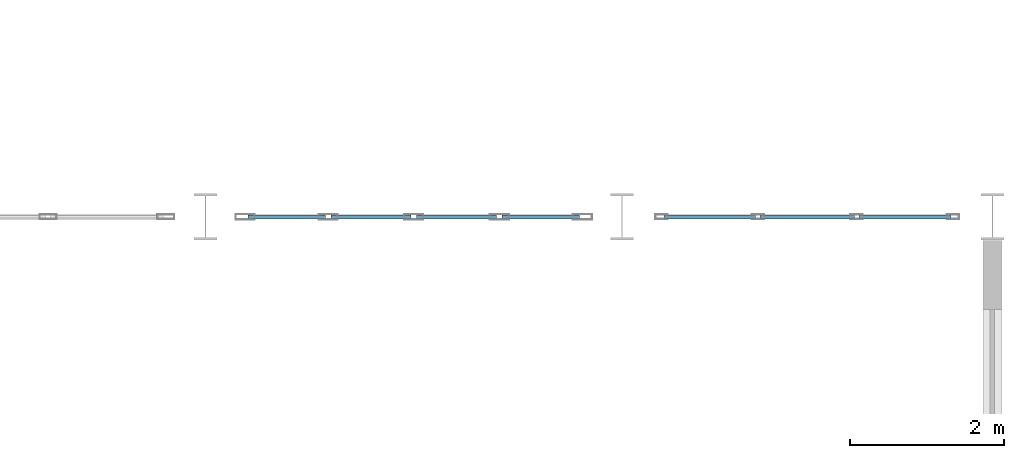
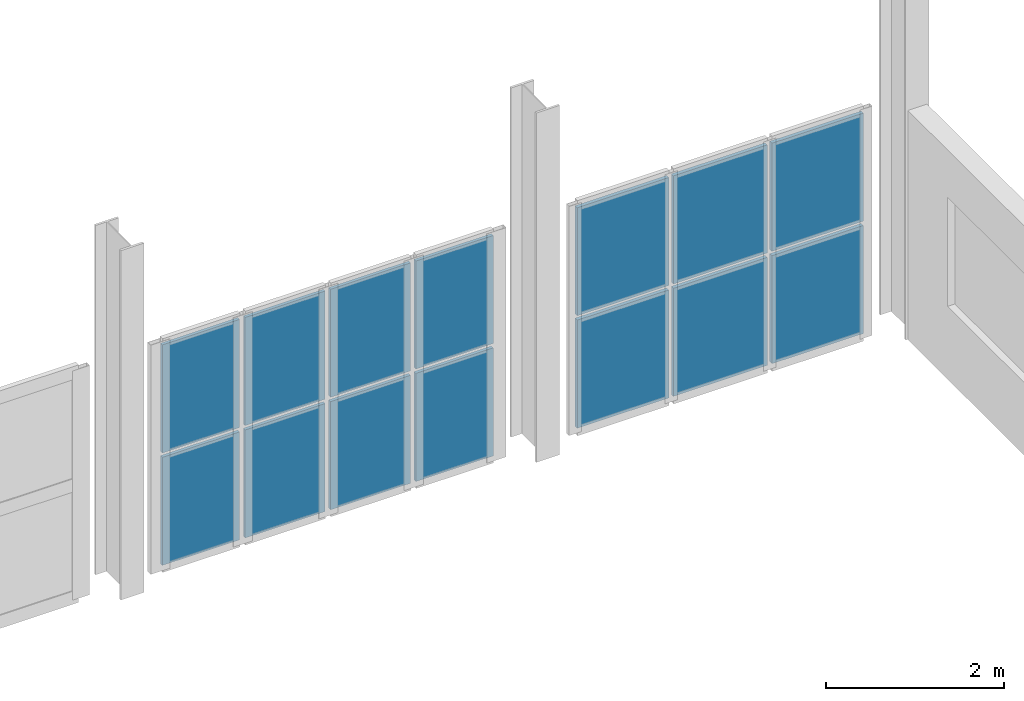
# One storey, part 31 of 41: 14 plates, 2 elements without a shape of their own.
"""IFC4 building model written with IfcOpenShell, lengths in metres."""

from ifc_helpers import new_model, si_unit, direction, frame, origin, origin_2d, place, context, subcontext, project, spatial, rectangle, extrude, material, layer, layer_set, type_object, element, aggregate, save


model = new_model("IFC4")

# Units and contexts
model_context = context("Model", 3, precision=1e-05, world=origin(), true_north=direction((0.0, 1.0)))
body_context = subcontext(model_context, "Body", "Model", "MODEL_VIEW")
ifc_project = project(units=[si_unit("LENGTHUNIT", "METRE"), si_unit("AREAUNIT", "SQUARE_METRE"), si_unit("VOLUMEUNIT", "CUBIC_METRE"), si_unit("PLANEANGLEUNIT", "RADIAN"), si_unit("MASSUNIT", "GRAM", prefix="KILO")], contexts=[model_context])

# Site, building, storey
site_placement = place(None, origin())
site = spatial("IfcSite", under=ifc_project, at=site_placement, CompositionType="ELEMENT")
building_placement = place(site_placement, origin())
building = spatial("IfcBuilding", under=site, at=building_placement, Name="Solvadek Multi-Sports Hall", CompositionType="ELEMENT")
storey_placement = place(building_placement, frame((0.0, 0.0, 14.39990234375)))
storey = spatial("IfcBuildingStorey", under=building, at=storey_placement, Name="L03", CompositionType="ELEMENT", Elevation=14.39990234375)

# Curtain wall, plates
ifc_material_1 = material(Name="Anodised aluminium", Category="aluminium")
ifc_layer_1 = layer(ifc_material_1, 0.159912109375, Name="Anodised aluminium")
ifc_layer_set_1 = layer_set([ifc_layer_1], Name="Anodised aluminium")
curtain_wall_type_1 = type_object("IfcCurtainWallType", Name="ENV-CW-444X315", PredefinedType="USERDEFINED", material=ifc_layer_set_1)
curtain_wall_1_placement = place(storey_placement, origin())
curtain_wall_1 = element("IfcCurtainWall", 1, at=curtain_wall_1_placement, inside=storey, type_object=curtain_wall_type_1, Name="L03 Perimeter Bay Curtain Wall #139", ObjectType="CURTAIN WALL", PredefinedType="USERDEFINED")
ifc_material_2 = material(Name="Tempered laminated low-E glass", Category="glass")
ifc_layer_2 = layer(ifc_material_2, 0.0419921875, Name="Tempered laminated low-E glass")
ifc_layer_set_2 = layer_set([ifc_layer_2], Name="Tempered laminated low-E glass")
plate_type_1 = type_object("IfcPlateType", Name="ENV-CWP-05", PredefinedType="CURTAIN_PANEL", material=ifc_layer_set_2)
plate_1_placement = place(storey_placement, frame((152.25244140625, 70.800048828125, 0.06005859375), z_axis=(0.0, 0.0, 1.0), x_axis=(1.0, 0.0, 0.0)))
plate_1 = element("IfcPlate", 2, at=plate_1_placement, type_object=plate_type_1, Name="CW-47 panel 1.1", PredefinedType="CURTAIN_PANEL", context=body_context, shape_type="SweptSolid", body=[
    extrude(rectangle(XDim=1.0048828125, YDim=0.0419921875, at=origin_2d()), origin(), (0.0, 0.0, 1.0), 1.485107421875),
])
plate_2_placement = place(storey_placement, frame((152.25244140625, 70.800048828125, 1.60498046875), z_axis=(0.0, 0.0, 1.0), x_axis=(1.0, 0.0, 0.0)))
plate_2 = element("IfcPlate", 3, at=plate_2_placement, type_object=plate_type_1, Name="CW-47 panel 1.2", PredefinedType="CURTAIN_PANEL", context=body_context, shape_type="SweptSolid", body=[
    extrude(rectangle(XDim=1.0048828125, YDim=0.0419921875, at=origin_2d()), origin(), (0.0, 0.0, 1.0), 1.485107421875),
])
plate_3_placement = place(storey_placement, frame((153.344970703125, 70.800048828125, 0.06005859375), z_axis=(0.0, 0.0, 1.0), x_axis=(1.0, 0.0, 0.0)))
plate_3 = element("IfcPlate", 4, at=plate_3_placement, type_object=plate_type_1, Name="CW-47 panel 2.1", PredefinedType="CURTAIN_PANEL", context=body_context, shape_type="SweptSolid", body=[
    extrude(rectangle(XDim=1.0400390625, YDim=0.0419921875, at=origin_2d()), origin(), (0.0, 0.0, 1.0), 1.485107421875),
])
plate_4_placement = place(storey_placement, frame((153.344970703125, 70.800048828125, 1.60498046875), z_axis=(0.0, 0.0, 1.0), x_axis=(1.0, 0.0, 0.0)))
plate_4 = element("IfcPlate", 5, at=plate_4_placement, type_object=plate_type_1, Name="CW-47 panel 2.2", PredefinedType="CURTAIN_PANEL", context=body_context, shape_type="SweptSolid", body=[
    extrude(rectangle(XDim=1.0400390625, YDim=0.0419921875, at=origin_2d()), origin(), (0.0, 0.0, 1.0), 1.485107421875),
])
plate_5_placement = place(storey_placement, frame((154.455078125, 70.800048828125, 0.06005859375), z_axis=(0.0, 0.0, 1.0), x_axis=(1.0, 0.0, 0.0)))
plate_5 = element("IfcPlate", 6, at=plate_5_placement, type_object=plate_type_1, Name="CW-47 panel 3.1", PredefinedType="CURTAIN_PANEL", context=body_context, shape_type="SweptSolid", body=[
    extrude(rectangle(XDim=1.0400390625, YDim=0.0419921875, at=origin_2d()), origin(), (0.0, 0.0, 1.0), 1.485107421875),
])
plate_6_placement = place(storey_placement, frame((154.455078125, 70.800048828125, 1.60498046875), z_axis=(0.0, 0.0, 1.0), x_axis=(1.0, 0.0, 0.0)))
plate_6 = element("IfcPlate", 7, at=plate_6_placement, type_object=plate_type_1, Name="CW-47 panel 3.2", PredefinedType="CURTAIN_PANEL", context=body_context, shape_type="SweptSolid", body=[
    extrude(rectangle(XDim=1.0400390625, YDim=0.0419921875, at=origin_2d()), origin(), (0.0, 0.0, 1.0), 1.485107421875),
])
plate_7_placement = place(storey_placement, frame((155.547607421875, 70.800048828125, 0.06005859375), z_axis=(0.0, 0.0, 1.0), x_axis=(1.0, 0.0, 0.0)))
plate_7 = element("IfcPlate", 8, at=plate_7_placement, type_object=plate_type_1, Name="CW-47 panel 4.1", PredefinedType="CURTAIN_PANEL", context=body_context, shape_type="SweptSolid", body=[
    extrude(rectangle(XDim=1.0048828125, YDim=0.0419921875, at=origin_2d()), origin(), (0.0, 0.0, 1.0), 1.485107421875),
])
plate_8_placement = place(storey_placement, frame((155.547607421875, 70.800048828125, 1.60498046875), z_axis=(0.0, 0.0, 1.0), x_axis=(1.0, 0.0, 0.0)))
plate_8 = element("IfcPlate", 9, at=plate_8_placement, type_object=plate_type_1, Name="CW-47 panel 4.2", PredefinedType="CURTAIN_PANEL", context=body_context, shape_type="SweptSolid", body=[
    extrude(rectangle(XDim=1.0048828125, YDim=0.0419921875, at=origin_2d()), origin(), (0.0, 0.0, 1.0), 1.485107421875),
])
aggregate(curtain_wall_1, [plate_1, plate_2, plate_3, plate_4, plate_5, plate_6, plate_7, plate_8])

ifc_layer_3 = layer(ifc_material_1, 0.159912109375, Name="Anodised aluminium")
ifc_layer_set_3 = layer_set([ifc_layer_3], Name="Anodised aluminium")
curtain_wall_type_2 = type_object("IfcCurtainWallType", Name="ENV-CW-384X315", PredefinedType="USERDEFINED", material=ifc_layer_set_3)
curtain_wall_2_placement = place(storey_placement, origin())
curtain_wall_2 = element("IfcCurtainWall", 10, at=curtain_wall_2_placement, inside=storey, type_object=curtain_wall_type_2, Name="L03 Perimeter Bay Curtain Wall #143", ObjectType="CURTAIN WALL", PredefinedType="USERDEFINED")
ifc_layer_4 = layer(ifc_material_2, 0.048095703125, Name="Tempered laminated low-E glass")
ifc_layer_set_4 = layer_set([ifc_layer_4], Name="Tempered laminated low-E glass")
plate_type_2 = type_object("IfcPlateType", Name="ENV-CWP-06", PredefinedType="CURTAIN_PANEL", material=ifc_layer_set_4)
plate_9_placement = place(storey_placement, frame((157.735107421875, 70.800048828125, 0.06005859375), z_axis=(0.0, 0.0, 1.0), x_axis=(1.0, 0.0, 0.0)))
plate_9 = element("IfcPlate", 11, at=plate_9_placement, type_object=plate_type_2, Name="CW-51 panel 1.1", PredefinedType="CURTAIN_PANEL", context=body_context, shape_type="SweptSolid", body=[
    extrude(rectangle(XDim=1.18994140625, YDim=0.048095703125, at=origin_2d()), origin(), (0.0, 0.0, 1.0), 1.485107421875),
])
plate_10_placement = place(storey_placement, frame((157.735107421875, 70.800048828125, 1.60498046875), z_axis=(0.0, 0.0, 1.0), x_axis=(1.0, 0.0, 0.0)))
plate_10 = element("IfcPlate", 12, at=plate_10_placement, type_object=plate_type_2, Name="CW-51 panel 1.2", PredefinedType="CURTAIN_PANEL", context=body_context, shape_type="SweptSolid", body=[
    extrude(rectangle(XDim=1.18994140625, YDim=0.048095703125, at=origin_2d()), origin(), (0.0, 0.0, 1.0), 1.485107421875),
])
plate_11_placement = place(storey_placement, frame((159.0, 70.800048828125, 0.06005859375), z_axis=(0.0, 0.0, 1.0), x_axis=(1.0, 0.0, 0.0)))
plate_11 = element("IfcPlate", 13, at=plate_11_placement, type_object=plate_type_2, Name="CW-51 panel 2.1", PredefinedType="CURTAIN_PANEL", context=body_context, shape_type="SweptSolid", body=[
    extrude(rectangle(XDim=1.219970703125, YDim=0.048095703125, at=origin_2d()), origin(), (0.0, 0.0, 1.0), 1.485107421875),
])
plate_12_placement = place(storey_placement, frame((159.0, 70.800048828125, 1.60498046875), z_axis=(0.0, 0.0, 1.0), x_axis=(1.0, 0.0, 0.0)))
plate_12 = element("IfcPlate", 14, at=plate_12_placement, type_object=plate_type_2, Name="CW-51 panel 2.2", PredefinedType="CURTAIN_PANEL", context=body_context, shape_type="SweptSolid", body=[
    extrude(rectangle(XDim=1.219970703125, YDim=0.048095703125, at=origin_2d()), origin(), (0.0, 0.0, 1.0), 1.485107421875),
])
plate_13_placement = place(storey_placement, frame((160.264892578125, 70.800048828125, 0.06005859375), z_axis=(0.0, 0.0, 1.0), x_axis=(1.0, 0.0, 0.0)))
plate_13 = element("IfcPlate", 15, at=plate_13_placement, type_object=plate_type_2, Name="CW-51 panel 3.1", PredefinedType="CURTAIN_PANEL", context=body_context, shape_type="SweptSolid", body=[
    extrude(rectangle(XDim=1.18994140625, YDim=0.048095703125, at=origin_2d()), origin(), (0.0, 0.0, 1.0), 1.485107421875),
])
plate_14_placement = place(storey_placement, frame((160.264892578125, 70.800048828125, 1.60498046875), z_axis=(0.0, 0.0, 1.0), x_axis=(1.0, 0.0, 0.0)))
plate_14 = element("IfcPlate", 16, at=plate_14_placement, type_object=plate_type_2, Name="CW-51 panel 3.2", PredefinedType="CURTAIN_PANEL", context=body_context, shape_type="SweptSolid", body=[
    extrude(rectangle(XDim=1.18994140625, YDim=0.048095703125, at=origin_2d()), origin(), (0.0, 0.0, 1.0), 1.485107421875),
])
aggregate(curtain_wall_2, [plate_9, plate_10, plate_11, plate_12, plate_13, plate_14])

save(model, "model.ifc")
